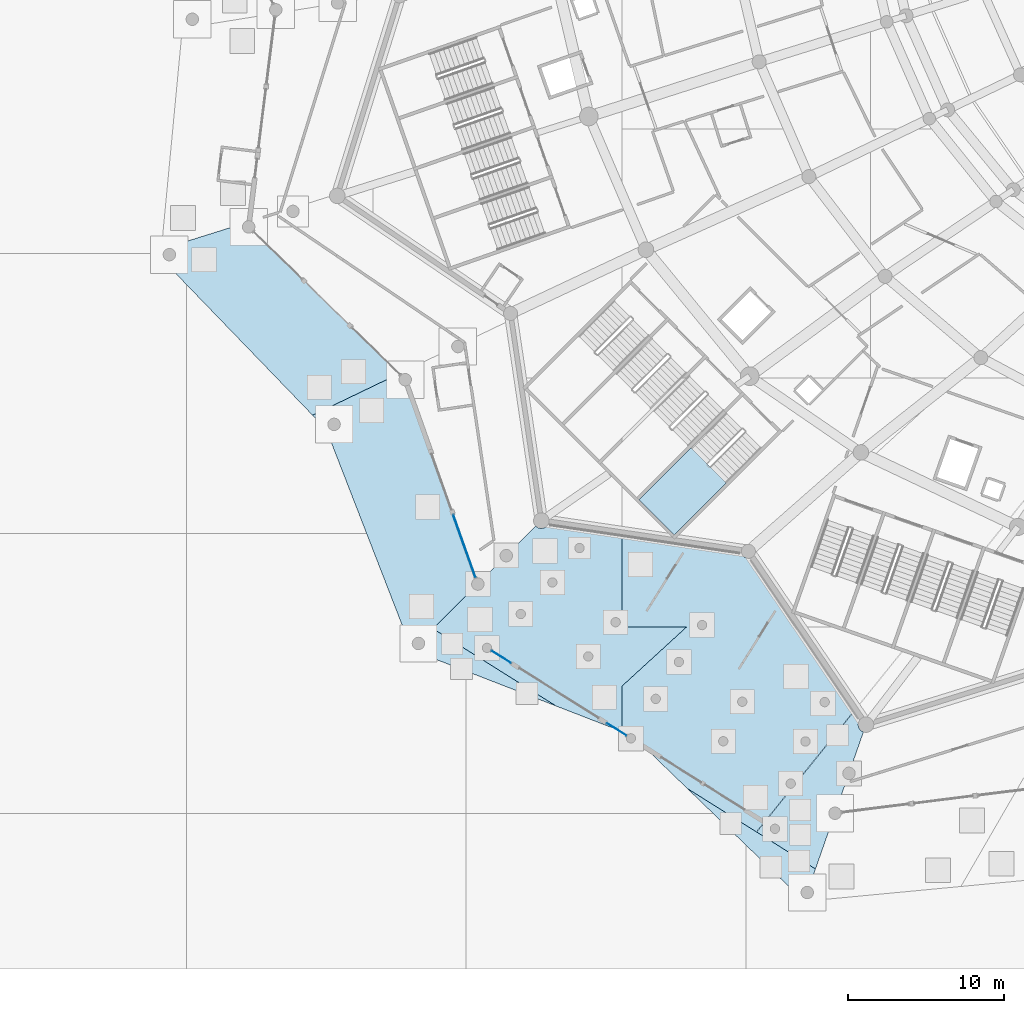
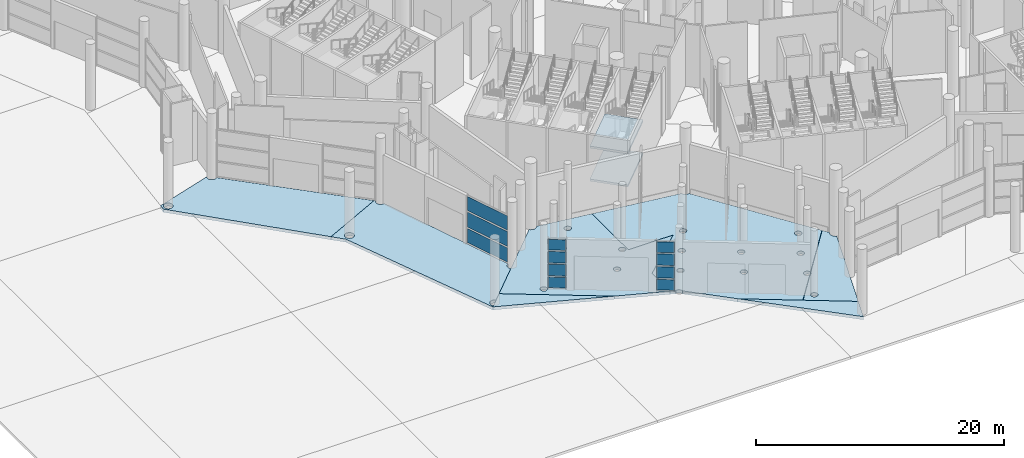
# One storey, part 69 of 255: 11 plates, 9 slabs, 4 elements without a shape of their own.
"""IFC4 building model written with IfcOpenShell, lengths in metres."""

from ifc_helpers import new_model, si_unit, direction, frame, origin, origin_2d, place, context, subcontext, project, spatial, polyline, rectangle, outline, extrude, material, layer, layer_set, type_object, element, aggregate, save


model = new_model("IFC4")

# Units and contexts
model_context = context("Model", 3, precision=1e-05, world=origin(), true_north=direction((0.0, 1.0)))
body_context = subcontext(model_context, "Body", "Model", "MODEL_VIEW")
ifc_project = project(units=[si_unit("LENGTHUNIT", "METRE"), si_unit("AREAUNIT", "SQUARE_METRE"), si_unit("VOLUMEUNIT", "CUBIC_METRE"), si_unit("PLANEANGLEUNIT", "RADIAN"), si_unit("MASSUNIT", "GRAM", prefix="KILO")], contexts=[model_context])

# Site, building, storey
site_placement = place(None, origin())
site = spatial("IfcSite", under=ifc_project, at=site_placement, CompositionType="ELEMENT")
building_placement = place(site_placement, origin())
building = spatial("IfcBuilding", under=site, at=building_placement, Name="Meseta Stadium", CompositionType="ELEMENT")
storey_placement = place(building_placement, origin())
storey = spatial("IfcBuildingStorey", under=building, at=storey_placement, Name="L00", CompositionType="ELEMENT", Elevation=0.0)

# Slabs
ifc_material_1 = material(Name="Concrete C40/50", Category="concrete")
ifc_layer_1 = layer(ifc_material_1, 0.300048828125)
ifc_layer_set_1 = layer_set([ifc_layer_1], Name="Gate court paving 300")
slab_type_1 = type_object("IfcSlabType", Name="Gate court paving 300", PredefinedType="FLOOR", material=ifc_layer_set_1)
slab_1_placement = place(storey_placement, frame((0.0, 0.0, -0.300048828125)))
element("IfcSlab", 1, at=slab_1_placement, inside=storey, type_object=slab_type_1, Name="Gate 6 court paving", PredefinedType="FLOOR", context=body_context, shape_type="SweptSolid", body=[
    extrude(outline(polyline([(-92.12841796875, -96.12841796875), (-93.49755859375, -97.49755859375), (-79.30517578125, -103.0048828125), (-84.220458984375, -101.09765625), (-92.12841796875, -96.12841796875)])), origin(), (0.0, 0.0, 1.0), 0.300048828125),
])
slab_2_placement = place(storey_placement, frame((0.0, 0.0, -0.300048828125)))
element("IfcSlab", 2, at=slab_2_placement, inside=storey, type_object=slab_type_1, Name="Gate 6 court paving", PredefinedType="FLOOR", context=body_context, shape_type="SweptSolid", body=[
    extrude(outline(polyline([(-79.30517578125, -103.0048828125), (-68.273193359375, -113.6533203125), (-65.736328125, -106.403076171875), (-67.5458984375, -111.57470703125), (-75.799560546875, -106.388916015625), (-79.30517578125, -103.0048828125)])), origin(), (0.0, 0.0, 1.0), 0.300048828125),
])
ifc_material_2 = material(Name="Concrete C30/37", Category="concrete")
ifc_layer_2 = layer(ifc_material_2, 0.300048828125)
ifc_layer_set_2 = layer_set([ifc_layer_2], Name="Gate grade slab 300")
slab_type_2 = type_object("IfcSlabType", Name="Gate grade slab 300", PredefinedType="BASESLAB", material=ifc_layer_set_2)
slab_3_placement = place(storey_placement, frame((0.0, 0.0, -0.300048828125)))
element("IfcSlab", 3, at=slab_3_placement, inside=storey, type_object=slab_type_2, Name="Gate ground floor slab 6 part 1 panel 01", PredefinedType="BASESLAB", context=body_context, shape_type="SweptSolid", body=[
    extrude(outline(polyline([(-84.737060546875, -89.42578125), (-84.817138671875, -89.5302734375), (-84.921630859375, -89.610595703125), (-85.043212890625, -89.660888671875), (-85.173583984375, -89.677978515625), (-85.30419921875, -89.660888671875), (-85.42578125, -89.610595703125), (-85.5302734375, -89.5302734375), (-92.12841796875, -96.12841796875), (-84.220458984375, -101.09765625), (-80.0, -102.7353515625), (-80.0, -99.828369140625), (-75.818115234375, -96.0), (-80.0, -96.0), (-80.0, -90.123779296875), (-84.73486328125, -89.4208984375), (-84.737060546875, -89.42578125)]), holes=[polyline([(-80.091796875, -95.706787109375), (-80.10205078125, -95.78515625), (-80.132080078125, -95.858154296875), (-80.180419921875, -95.9208984375), (-80.242919921875, -95.968994140625), (-80.31591796875, -95.999267578125), (-80.394287109375, -96.009521484375), (-80.47265625, -95.999267578125), (-80.545654296875, -95.968994140625), (-80.608154296875, -95.9208984375), (-80.65625, -95.858154296875), (-80.6865234375, -95.78515625), (-80.697021484375, -95.706787109375), (-80.6865234375, -95.628662109375), (-80.65625, -95.5556640625), (-80.608154296875, -95.492919921875), (-80.545654296875, -95.44482421875), (-80.47265625, -95.41455078125), (-80.394287109375, -95.404296875), (-80.31591796875, -95.41455078125), (-80.242919921875, -95.44482421875), (-80.180419921875, -95.492919921875), (-80.132080078125, -95.5556640625), (-80.10205078125, -95.628662109375), (-80.091796875, -95.706787109375)]), polyline([(-86.34228515625, -94.919189453125), (-86.279541015625, -94.96728515625), (-86.2314453125, -95.030029296875), (-86.201416015625, -95.10302734375), (-86.19091796875, -95.181396484375), (-86.201416015625, -95.259521484375), (-86.2314453125, -95.33251953125), (-86.279541015625, -95.395263671875), (-86.34228515625, -95.443359375), (-86.415283203125, -95.4736328125), (-86.49365234375, -95.48388671875), (-86.572021484375, -95.4736328125), (-86.64501953125, -95.443359375), (-86.70751953125, -95.395263671875), (-86.755615234375, -95.33251953125), (-86.785888671875, -95.259521484375), (-86.796142578125, -95.181396484375), (-86.785888671875, -95.10302734375), (-86.755615234375, -95.030029296875), (-86.70751953125, -94.96728515625), (-86.64501953125, -94.919189453125), (-86.572021484375, -94.88916015625), (-86.49365234375, -94.878662109375), (-86.415283203125, -94.88916015625), (-86.34228515625, -94.919189453125)]), polyline([(-84.3115234375, -92.888427734375), (-84.248779296875, -92.9365234375), (-84.20068359375, -92.999267578125), (-84.17041015625, -93.072265625), (-84.16015625, -93.150390625), (-84.17041015625, -93.228759765625), (-84.20068359375, -93.3017578125), (-84.248779296875, -93.364501953125), (-84.3115234375, -93.41259765625), (-84.384521484375, -93.44287109375), (-84.462646484375, -93.453125), (-84.541015625, -93.44287109375), (-84.614013671875, -93.41259765625), (-84.6767578125, -93.364501953125), (-84.724853515625, -93.3017578125), (-84.7548828125, -93.228759765625), (-84.765380859375, -93.150390625), (-84.7548828125, -93.072265625), (-84.724853515625, -92.999267578125), (-84.6767578125, -92.9365234375), (-84.614013671875, -92.888427734375), (-84.541015625, -92.858154296875), (-84.462646484375, -92.847900390625), (-84.384521484375, -92.858154296875), (-84.3115234375, -92.888427734375)]), polyline([(-82.64111328125, -90.646728515625), (-82.568115234375, -90.677001953125), (-82.505615234375, -90.72509765625), (-82.45751953125, -90.78759765625), (-82.42724609375, -90.860595703125), (-82.4169921875, -90.93896484375), (-82.42724609375, -91.017333984375), (-82.45751953125, -91.09033203125), (-82.505615234375, -91.153076171875), (-82.568115234375, -91.201171875), (-82.64111328125, -91.231201171875), (-82.719482421875, -91.24169921875), (-82.7978515625, -91.231201171875), (-82.870849609375, -91.201171875), (-82.933349609375, -91.153076171875), (-82.9814453125, -91.09033203125), (-83.01171875, -91.017333984375), (-83.022216796875, -90.93896484375), (-83.01171875, -90.860595703125), (-82.9814453125, -90.78759765625), (-82.933349609375, -90.72509765625), (-82.870849609375, -90.677001953125), (-82.7978515625, -90.646728515625), (-82.719482421875, -90.636474609375), (-82.64111328125, -90.646728515625)]), polyline([(-82.003173828125, -97.645751953125), (-81.940673828125, -97.69384765625), (-81.892578125, -97.75634765625), (-81.8623046875, -97.829345703125), (-81.85205078125, -97.90771484375), (-81.8623046875, -97.986083984375), (-81.892578125, -98.05908203125), (-81.940673828125, -98.12158203125), (-82.003173828125, -98.169921875), (-82.076171875, -98.199951171875), (-82.154541015625, -98.210205078125), (-82.23291015625, -98.199951171875), (-82.305908203125, -98.169921875), (-82.368408203125, -98.12158203125), (-82.41650390625, -98.05908203125), (-82.44677734375, -97.986083984375), (-82.45703125, -97.90771484375), (-82.44677734375, -97.829345703125), (-82.41650390625, -97.75634765625), (-82.368408203125, -97.69384765625), (-82.305908203125, -97.645751953125), (-82.23291015625, -97.615478515625), (-82.154541015625, -97.60498046875), (-82.076171875, -97.615478515625), (-82.003173828125, -97.645751953125)]), polyline([(-88.51806640625, -97.09521484375), (-88.45556640625, -97.143310546875), (-88.407470703125, -97.205810546875), (-88.377197265625, -97.27880859375), (-88.36669921875, -97.357177734375), (-88.377197265625, -97.435546875), (-88.407470703125, -97.508544921875), (-88.45556640625, -97.5712890625), (-88.51806640625, -97.619384765625), (-88.591064453125, -97.6494140625), (-88.66943359375, -97.659912109375), (-88.747802734375, -97.6494140625), (-88.82080078125, -97.619384765625), (-88.88330078125, -97.5712890625), (-88.931396484375, -97.508544921875), (-88.961669921875, -97.435546875), (-88.971923828125, -97.357177734375), (-88.961669921875, -97.27880859375), (-88.931396484375, -97.205810546875), (-88.88330078125, -97.143310546875), (-88.82080078125, -97.09521484375), (-88.747802734375, -97.06494140625), (-88.66943359375, -97.0546875), (-88.591064453125, -97.06494140625), (-88.51806640625, -97.09521484375)])]), origin(), (0.0, 0.0, 1.0), 0.300048828125),
])
slab_4_placement = place(storey_placement, frame((0.0, 0.0, -0.300048828125)))
element("IfcSlab", 4, at=slab_4_placement, inside=storey, type_object=slab_type_2, Name="Gate ground floor slab 6 part 1 panel 02", PredefinedType="BASESLAB", context=body_context, shape_type="SweptSolid", body=[
    extrude(outline(polyline([(-71.856689453125, -91.604736328125), (-71.97412109375, -91.589111328125), (-72.083740234375, -91.5439453125), (-72.177734375, -91.4716796875), (-72.249755859375, -91.377685546875), (-72.29541015625, -91.267578125), (-80.0, -90.123779296875), (-80.0, -96.0), (-75.818115234375, -96.0), (-80.0, -99.828369140625), (-80.0, -102.7353515625), (-79.5537109375, -102.908447265625), (-79.489990234375, -102.882080078125), (-79.41162109375, -102.87158203125), (-79.333251953125, -102.882080078125), (-79.26025390625, -102.912109375), (-79.19775390625, -102.960205078125), (-79.149658203125, -103.02294921875), (-79.119384765625, -103.095947265625), (-79.10888671875, -103.17431640625), (-79.111328125, -103.19189453125), (-75.799560546875, -106.388916015625), (-71.34375, -109.1884765625), (-69.07861328125, -106.3818359375), (-69.137451171875, -106.389404296875), (-69.2158203125, -106.379150390625), (-69.288818359375, -106.348876953125), (-69.351318359375, -106.30078125), (-69.3994140625, -106.23828125), (-69.4296875, -106.165283203125), (-69.440185546875, -106.0869140625), (-69.4296875, -106.008544921875), (-69.3994140625, -105.935546875), (-69.351318359375, -105.872802734375), (-69.288818359375, -105.82470703125), (-69.2158203125, -105.794677734375), (-69.137451171875, -105.7841796875), (-69.05908203125, -105.794677734375), (-68.986083984375, -105.82470703125), (-68.923583984375, -105.872802734375), (-68.87548828125, -105.935546875), (-68.84521484375, -106.008544921875), (-68.835693359375, -106.080810546875), (-65.091552734375, -101.44140625), (-71.773681640625, -91.59375), (-71.856689453125, -91.604736328125)]), holes=[polyline([(-74.533447265625, -95.892578125), (-74.5439453125, -95.970703125), (-74.57421875, -96.043701171875), (-74.622314453125, -96.1064453125), (-74.684814453125, -96.154541015625), (-74.7578125, -96.184814453125), (-74.836181640625, -96.195068359375), (-74.91455078125, -96.184814453125), (-74.9873046875, -96.154541015625), (-75.050048828125, -96.1064453125), (-75.09814453125, -96.043701171875), (-75.12841796875, -95.970703125), (-75.138671875, -95.892578125), (-75.12841796875, -95.814208984375), (-75.09814453125, -95.7412109375), (-75.050048828125, -95.678466796875), (-74.9873046875, -95.63037109375), (-74.91455078125, -95.60009765625), (-74.836181640625, -95.58984375), (-74.7578125, -95.60009765625), (-74.684814453125, -95.63037109375), (-74.622314453125, -95.678466796875), (-74.57421875, -95.7412109375), (-74.5439453125, -95.814208984375), (-74.533447265625, -95.892578125)]), polyline([(-77.523193359375, -100.555908203125), (-77.512939453125, -100.634033203125), (-77.523193359375, -100.71240234375), (-77.553466796875, -100.785400390625), (-77.6015625, -100.84814453125), (-77.664306640625, -100.896240234375), (-77.7373046875, -100.926513671875), (-77.8154296875, -100.936767578125), (-77.893798828125, -100.926513671875), (-77.966796875, -100.896240234375), (-78.029541015625, -100.84814453125), (-78.07763671875, -100.785400390625), (-78.10791015625, -100.71240234375), (-78.1181640625, -100.634033203125), (-78.10791015625, -100.555908203125), (-78.07763671875, -100.48291015625), (-78.029541015625, -100.420166015625), (-77.966796875, -100.3720703125), (-77.893798828125, -100.341796875), (-77.8154296875, -100.33154296875), (-77.7373046875, -100.341796875), (-77.664306640625, -100.3720703125), (-77.6015625, -100.420166015625), (-77.553466796875, -100.48291015625), (-77.523193359375, -100.555908203125)]), polyline([(-76.03369140625, -98.18505859375), (-76.023193359375, -98.26318359375), (-76.03369140625, -98.341552734375), (-76.063720703125, -98.41455078125), (-76.11181640625, -98.477294921875), (-76.174560546875, -98.525390625), (-76.24755859375, -98.5556640625), (-76.32568359375, -98.56591796875), (-76.404052734375, -98.5556640625), (-76.47705078125, -98.525390625), (-76.539794921875, -98.477294921875), (-76.587890625, -98.41455078125), (-76.6181640625, -98.341552734375), (-76.62841796875, -98.26318359375), (-76.6181640625, -98.18505859375), (-76.587890625, -98.112060546875), (-76.539794921875, -98.04931640625), (-76.47705078125, -98.001220703125), (-76.404052734375, -97.970947265625), (-76.32568359375, -97.960693359375), (-76.24755859375, -97.970947265625), (-76.174560546875, -98.001220703125), (-76.11181640625, -98.04931640625), (-76.063720703125, -98.112060546875), (-76.03369140625, -98.18505859375)]), polyline([(-67.896484375, -103.297607421875), (-67.88623046875, -103.3759765625), (-67.896484375, -103.454345703125), (-67.927001953125, -103.52734375), (-67.974853515625, -103.590087890625), (-68.03759765625, -103.63818359375), (-68.110595703125, -103.668212890625), (-68.18896484375, -103.6787109375), (-68.26708984375, -103.668212890625), (-68.340087890625, -103.63818359375), (-68.40283203125, -103.590087890625), (-68.450927734375, -103.52734375), (-68.481201171875, -103.454345703125), (-68.491455078125, -103.3759765625), (-68.481201171875, -103.297607421875), (-68.450927734375, -103.224609375), (-68.40283203125, -103.162109375), (-68.340087890625, -103.114013671875), (-68.26708984375, -103.083740234375), (-68.18896484375, -103.073486328125), (-68.110595703125, -103.083740234375), (-68.03759765625, -103.114013671875), (-67.974853515625, -103.162109375), (-67.927001953125, -103.224609375), (-67.896484375, -103.297607421875)]), polyline([(-73.173828125, -103.360595703125), (-73.18408203125, -103.438720703125), (-73.21435546875, -103.51171875), (-73.262451171875, -103.574462890625), (-73.3251953125, -103.62255859375), (-73.398193359375, -103.65283203125), (-73.4765625, -103.6630859375), (-73.5546875, -103.65283203125), (-73.627685546875, -103.62255859375), (-73.6904296875, -103.574462890625), (-73.738525390625, -103.51171875), (-73.768798828125, -103.438720703125), (-73.779052734375, -103.360595703125), (-73.768798828125, -103.2822265625), (-73.738525390625, -103.209228515625), (-73.6904296875, -103.146484375), (-73.627685546875, -103.098388671875), (-73.5546875, -103.068115234375), (-73.4765625, -103.057861328125), (-73.398193359375, -103.068115234375), (-73.3251953125, -103.098388671875), (-73.262451171875, -103.146484375), (-73.21435546875, -103.209228515625), (-73.18408203125, -103.2822265625), (-73.173828125, -103.360595703125)]), polyline([(-66.650146484375, -100.845947265625), (-66.660400390625, -100.92431640625), (-66.69091796875, -100.997314453125), (-66.73876953125, -101.059814453125), (-66.801513671875, -101.10791015625), (-66.87451171875, -101.13818359375), (-66.952880859375, -101.1484375), (-67.031005859375, -101.13818359375), (-67.10400390625, -101.10791015625), (-67.166748046875, -101.059814453125), (-67.21484375, -100.997314453125), (-67.2451171875, -100.92431640625), (-67.25537109375, -100.845947265625), (-67.2451171875, -100.767578125), (-67.21484375, -100.694580078125), (-67.166748046875, -100.6318359375), (-67.10400390625, -100.583740234375), (-67.031005859375, -100.5537109375), (-66.952880859375, -100.543212890625), (-66.87451171875, -100.5537109375), (-66.801513671875, -100.583740234375), (-66.73876953125, -100.6318359375), (-66.69091796875, -100.694580078125), (-66.660400390625, -100.767578125), (-66.650146484375, -100.845947265625)]), polyline([(-71.954833984375, -100.819580078125), (-71.965087890625, -100.89794921875), (-71.995361328125, -100.970947265625), (-72.04345703125, -101.03369140625), (-72.106201171875, -101.081787109375), (-72.17919921875, -101.11181640625), (-72.25732421875, -101.122314453125), (-72.335693359375, -101.11181640625), (-72.40869140625, -101.081787109375), (-72.47119140625, -101.03369140625), (-72.519287109375, -100.970947265625), (-72.549560546875, -100.89794921875), (-72.56005859375, -100.819580078125), (-72.549560546875, -100.7412109375), (-72.519287109375, -100.66845703125), (-72.47119140625, -100.605712890625), (-72.40869140625, -100.5576171875), (-72.335693359375, -100.52734375), (-72.25732421875, -100.51708984375), (-72.17919921875, -100.52734375), (-72.106201171875, -100.5576171875), (-72.04345703125, -100.605712890625), (-71.995361328125, -100.66845703125), (-71.965087890625, -100.7412109375), (-71.954833984375, -100.819580078125)])]), origin(), (0.0, 0.0, 1.0), 0.300048828125),
])
slab_5_placement = place(storey_placement, frame((0.0, 0.0, -0.300048828125)))
element("IfcSlab", 5, at=slab_5_placement, inside=storey, type_object=slab_type_2, Name="Gate ground floor slab 6 part 2", PredefinedType="BASESLAB", context=body_context, shape_type="SweptSolid", body=[
    extrude(outline(polyline([(-64.708740234375, -102.005615234375), (-65.079833984375, -101.458740234375), (-68.8388671875, -106.116455078125), (-68.84521484375, -106.165283203125), (-68.87548828125, -106.23828125), (-68.923583984375, -106.30078125), (-68.986083984375, -106.348876953125), (-69.046630859375, -106.3740234375), (-71.326904296875, -109.19921875), (-67.5458984375, -111.57470703125), (-64.462890625, -102.763916015625), (-64.549560546875, -102.727783203125), (-64.654052734375, -102.647705078125), (-64.734130859375, -102.543212890625), (-64.78466796875, -102.421630859375), (-64.8017578125, -102.291015625), (-64.78466796875, -102.16064453125), (-64.734130859375, -102.0390625), (-64.708740234375, -102.005615234375)]), holes=[polyline([(-69.939697265625, -109.205322265625), (-70.00244140625, -109.25341796875), (-70.075439453125, -109.28369140625), (-70.15380859375, -109.2939453125), (-70.232177734375, -109.28369140625), (-70.30517578125, -109.25341796875), (-70.367919921875, -109.205322265625), (-70.415771484375, -109.142578125), (-70.446044921875, -109.069580078125), (-70.456298828125, -108.991455078125), (-70.446044921875, -108.9130859375), (-70.415771484375, -108.840087890625), (-70.367919921875, -108.77734375), (-70.30517578125, -108.729248046875), (-70.232177734375, -108.69921875), (-70.15380859375, -108.688720703125), (-70.075439453125, -108.69921875), (-70.00244140625, -108.729248046875), (-69.939697265625, -108.77734375), (-69.8916015625, -108.840087890625), (-69.861572265625, -108.9130859375), (-69.851318359375, -108.991455078125), (-69.861572265625, -109.069580078125), (-69.8916015625, -109.142578125), (-69.939697265625, -109.205322265625)])]), origin(), (0.0, 0.0, 1.0), 0.300048828125),
])
ifc_material_3 = material(Name="Concrete C40/50", Category="concrete")
ifc_layer_3 = layer(ifc_material_3, 0.300048828125)
ifc_layer_set_3 = layer_set([ifc_layer_3], Name="Passage paving slab 300")
slab_type_3 = type_object("IfcSlabType", Name="Passage paving slab 300", PredefinedType="FLOOR", material=ifc_layer_set_3)
slab_6_placement = place(storey_placement, frame((0.0, 0.0, -0.300048828125)))
element("IfcSlab", 6, at=slab_6_placement, inside=storey, type_object=slab_type_3, Name="Covered passage paving 5 part 2 panel 04", PredefinedType="FLOOR", context=body_context, shape_type="SweptSolid", body=[
    extrude(outline(polyline([(-109.601318359375, -71.726806640625), (-109.6533203125, -72.273193359375), (-99.877197265625, -82.401611328125), (-94.31884765625, -79.728515625), (-103.70166015625, -70.572998046875), (-103.70458984375, -70.576904296875), (-103.7880859375, -70.64111328125), (-103.885498046875, -70.681396484375), (-103.989990234375, -70.695068359375), (-104.094482421875, -70.681396484375), (-104.191650390625, -70.64111328125), (-104.275146484375, -70.576904296875), (-104.33935546875, -70.493408203125), (-104.379638671875, -70.39599609375), (-104.393310546875, -70.29150390625), (-104.379638671875, -70.18701171875), (-104.33935546875, -70.08984375), (-104.326416015625, -70.072998046875), (-109.601318359375, -71.726806640625)]), holes=[polyline([(-108.88525390625, -72.424560546875), (-108.982421875, -72.46484375), (-109.0869140625, -72.478515625), (-109.19140625, -72.46484375), (-109.28857421875, -72.424560546875), (-109.372314453125, -72.3603515625), (-109.436279296875, -72.27685546875), (-109.4765625, -72.179443359375), (-109.490478515625, -72.0751953125), (-109.4765625, -71.970703125), (-109.436279296875, -71.873291015625), (-109.372314453125, -71.789794921875), (-109.28857421875, -71.7255859375), (-109.19140625, -71.685302734375), (-109.0869140625, -71.671630859375), (-108.982421875, -71.685302734375), (-108.88525390625, -71.7255859375), (-108.801513671875, -71.789794921875), (-108.737548828125, -71.873291015625), (-108.697265625, -71.970703125), (-108.68359375, -72.0751953125), (-108.697265625, -72.179443359375), (-108.737548828125, -72.27685546875), (-108.801513671875, -72.3603515625), (-108.88525390625, -72.424560546875)])]), origin(), (0.0, 0.0, 1.0), 0.300048828125),
])
slab_7_placement = place(storey_placement, frame((0.0, 0.0, -0.300048828125)))
element("IfcSlab", 7, at=slab_7_placement, inside=storey, type_object=slab_type_3, Name="Covered passage paving 5 part 2 panel 05", PredefinedType="FLOOR", context=body_context, shape_type="SweptSolid", body=[
    extrude(outline(polyline([(-94.212890625, -79.831787109375), (-94.31884765625, -79.728515625), (-99.877197265625, -82.401611328125), (-99.0048828125, -83.30517578125), (-93.49755859375, -97.49755859375), (-93.3583984375, -97.3583984375), (-93.422607421875, -97.27490234375), (-93.462890625, -97.177490234375), (-93.476806640625, -97.0732421875), (-93.462890625, -96.96875), (-93.422607421875, -96.87158203125), (-93.3583984375, -96.787841796875), (-93.27490234375, -96.723876953125), (-93.177490234375, -96.68359375), (-93.0732421875, -96.669921875), (-92.96875, -96.68359375), (-92.87158203125, -96.723876953125), (-92.787841796875, -96.787841796875), (-89.5400390625, -93.5400390625), (-89.604248046875, -93.45654296875), (-89.64453125, -93.359375), (-89.658203125, -93.2548828125), (-89.64453125, -93.150390625), (-89.604248046875, -93.052978515625), (-89.5400390625, -92.969482421875), (-89.45654296875, -92.905517578125), (-89.388916015625, -92.87744140625), (-93.79052734375, -80.490478515625), (-93.8203125, -80.502685546875), (-93.924560546875, -80.5166015625), (-94.029052734375, -80.502685546875), (-94.126220703125, -80.46240234375), (-94.2099609375, -80.398193359375), (-94.27392578125, -80.314697265625), (-94.314208984375, -80.21728515625), (-94.327880859375, -80.113037109375), (-94.314208984375, -80.008544921875), (-94.27392578125, -79.911376953125), (-94.212890625, -79.831787109375)]), holes=[polyline([(-98.211669921875, -83.271240234375), (-98.295166015625, -83.33544921875), (-98.392578125, -83.375732421875), (-98.496826171875, -83.389404296875), (-98.601318359375, -83.375732421875), (-98.698486328125, -83.33544921875), (-98.7822265625, -83.271240234375), (-98.84619140625, -83.187744140625), (-98.88671875, -83.09033203125), (-98.900390625, -82.986083984375), (-98.88671875, -82.881591796875), (-98.84619140625, -82.7841796875), (-98.7822265625, -82.70068359375), (-98.698486328125, -82.63671875), (-98.601318359375, -82.59619140625), (-98.496826171875, -82.58251953125), (-98.392578125, -82.59619140625), (-98.295166015625, -82.63671875), (-98.211669921875, -82.70068359375), (-98.1474609375, -82.7841796875), (-98.107177734375, -82.881591796875), (-98.093505859375, -82.986083984375), (-98.107177734375, -83.09033203125), (-98.1474609375, -83.187744140625), (-98.211669921875, -83.271240234375)])]), origin(), (0.0, 0.0, 1.0), 0.300048828125),
])

# Curtain wall, plates
ifc_material_4 = material(Name="Aluminium", Category="aluminium")
ifc_layer_4 = layer(ifc_material_4, 0.199951171875)
ifc_layer_set_4 = layer_set([ifc_layer_4], Name="Ring shopfront curtain wall")
curtain_wall_type_1 = type_object("IfcCurtainWallType", Name="Ring shopfront curtain wall", PredefinedType="NOTDEFINED", material=ifc_layer_set_4)
curtain_wall_1_placement = place(storey_placement, origin())
curtain_wall_1 = element("IfcCurtainWall", 8, at=curtain_wall_1_placement, inside=storey, type_object=curtain_wall_type_1, Name="Shopfront glazing F39b", PredefinedType="NOTDEFINED")
ifc_material_5 = material(Name="Glass", Category="glass")
ifc_layer_5 = layer(ifc_material_5, 0.035888671875)
ifc_layer_set_5 = layer_set([ifc_layer_5], Name="Ring CW glass panel 36")
plate_type = type_object("IfcPlateType", Name="Ring CW glass panel 36", PredefinedType="CURTAIN_PANEL", material=ifc_layer_set_5)
plate_1_placement = place(storey_placement, frame((-90.120849609375, -90.8173828125, 0.150146484375), z_axis=(0.0, 0.0, 1.0), x_axis=(0.334817946273, -0.942282835912, 0.0)))
plate_1 = element("IfcPlate", 9, at=plate_1_placement, type_object=plate_type, Name="CWR1 panel 1.1", PredefinedType="CURTAIN_PANEL", context=body_context, shape_type="SweptSolid", body=[
    extrude(rectangle(XDim=4.25341796875, YDim=0.035888671875, at=origin_2d()), origin(), (0.0, 0.0, 1.0), 1.3916015625),
])
plate_2_placement = place(storey_placement, frame((-90.120849609375, -90.8173828125, 1.69189453125), z_axis=(0.0, 0.0, 1.0), x_axis=(0.334817946273, -0.942282835912, 0.0)))
plate_2 = element("IfcPlate", 10, at=plate_2_placement, type_object=plate_type, Name="CWR1 panel 1.2", PredefinedType="CURTAIN_PANEL", context=body_context, shape_type="SweptSolid", body=[
    extrude(rectangle(XDim=4.25341796875, YDim=0.035888671875, at=origin_2d()), origin(), (0.0, 0.0, 1.0), 1.466552734375),
])
plate_3_placement = place(storey_placement, frame((-90.120849609375, -90.8173828125, 3.308349609375), z_axis=(0.0, 0.0, 1.0), x_axis=(0.334817946273, -0.942282835912, 0.0)))
plate_3 = element("IfcPlate", 11, at=plate_3_placement, type_object=plate_type, Name="CWR1 panel 1.3", PredefinedType="CURTAIN_PANEL", context=body_context, shape_type="SweptSolid", body=[
    extrude(rectangle(XDim=4.25341796875, YDim=0.035888671875, at=origin_2d()), origin(), (0.0, 0.0, 1.0), 1.3916015625),
])
aggregate(curtain_wall_1, [plate_1, plate_2, plate_3])

ifc_material_6 = material(Name="Aluminium", Category="aluminium")
ifc_layer_6 = layer(ifc_material_6, 0.199951171875)
ifc_layer_set_6 = layer_set([ifc_layer_6], Name="Gate hall curtain wall")
curtain_wall_type_2 = type_object("IfcCurtainWallType", Name="Gate hall curtain wall", PredefinedType="NOTDEFINED", material=ifc_layer_set_6)
curtain_wall_2_placement = place(storey_placement, origin())
curtain_wall_2 = element("IfcCurtainWall", 12, at=curtain_wall_2_placement, inside=storey, type_object=curtain_wall_type_2, Name="Gate 6 glazing", PredefinedType="NOTDEFINED")
plate_4_placement = place(storey_placement, frame((-87.751953125, -97.93359375, 0.14990234375), z_axis=(0.0, 0.0, 1.0), x_axis=(0.846730196879, -0.532022531189, 0.0)))
plate_4 = element("IfcPlate", 13, at=plate_4_placement, type_object=plate_type, Name="CWG1 panel 1.1", PredefinedType="CURTAIN_PANEL", context=body_context, shape_type="SweptSolid", body=[
    extrude(rectangle(XDim=1.44677734375, YDim=0.035888671875, at=origin_2d()), origin(), (0.0, 0.0, 1.0), 1.03759765625),
])
plate_5_placement = place(storey_placement, frame((-87.751953125, -97.93359375, 1.33740234375), z_axis=(0.0, 0.0, 1.0), x_axis=(0.846730196879, -0.532022531189, 0.0)))
plate_5 = element("IfcPlate", 14, at=plate_5_placement, type_object=plate_type, Name="CWG1 panel 1.2", PredefinedType="CURTAIN_PANEL", context=body_context, shape_type="SweptSolid", body=[
    extrude(rectangle(XDim=1.44677734375, YDim=0.035888671875, at=origin_2d()), origin(), (0.0, 0.0, 1.0), 1.112548828125),
])
plate_6_placement = place(storey_placement, frame((-87.751953125, -97.93359375, 2.60009765625), z_axis=(0.0, 0.0, 1.0), x_axis=(0.846730196879, -0.532022531189, 0.0)))
plate_6 = element("IfcPlate", 15, at=plate_6_placement, type_object=plate_type, Name="CWG1 panel 1.3", PredefinedType="CURTAIN_PANEL", context=body_context, shape_type="SweptSolid", body=[
    extrude(rectangle(XDim=1.44677734375, YDim=0.035888671875, at=origin_2d()), origin(), (0.0, 0.0, 1.0), 1.112548828125),
])
plate_7_placement = place(storey_placement, frame((-87.751953125, -97.93359375, 3.862548828125), z_axis=(0.0, 0.0, 1.0), x_axis=(0.846730196879, -0.532022531189, 0.0)))
plate_7 = element("IfcPlate", 16, at=plate_7_placement, type_object=plate_type, Name="CWG1 panel 1.4", PredefinedType="CURTAIN_PANEL", context=body_context, shape_type="SweptSolid", body=[
    extrude(rectangle(XDim=1.44677734375, YDim=0.035888671875, at=origin_2d()), origin(), (0.0, 0.0, 1.0), 1.03759765625),
])
aggregate(curtain_wall_2, [plate_4, plate_5, plate_6, plate_7])

curtain_wall_3_placement = place(storey_placement, origin())
curtain_wall_3 = element("IfcCurtainWall", 17, at=curtain_wall_3_placement, inside=storey, type_object=curtain_wall_type_2, Name="Gate 6 glazing", PredefinedType="NOTDEFINED")
plate_8_placement = place(storey_placement, frame((-80.328857421875, -102.597900390625, 0.14990234375), z_axis=(0.0, 0.0, 1.0), x_axis=(0.846730196879, -0.532022531189, 0.0)))
plate_8 = element("IfcPlate", 18, at=plate_8_placement, type_object=plate_type, Name="CWG1 panel 1.1", PredefinedType="CURTAIN_PANEL", context=body_context, shape_type="SweptSolid", body=[
    extrude(rectangle(XDim=1.44677734375, YDim=0.035888671875, at=origin_2d()), origin(), (0.0, 0.0, 1.0), 1.03759765625),
])
plate_9_placement = place(storey_placement, frame((-80.328857421875, -102.597900390625, 1.33740234375), z_axis=(0.0, 0.0, 1.0), x_axis=(0.846730196879, -0.532022531189, 0.0)))
plate_9 = element("IfcPlate", 19, at=plate_9_placement, type_object=plate_type, Name="CWG1 panel 1.2", PredefinedType="CURTAIN_PANEL", context=body_context, shape_type="SweptSolid", body=[
    extrude(rectangle(XDim=1.44677734375, YDim=0.035888671875, at=origin_2d()), origin(), (0.0, 0.0, 1.0), 1.112548828125),
])
plate_10_placement = place(storey_placement, frame((-80.328857421875, -102.597900390625, 2.60009765625), z_axis=(0.0, 0.0, 1.0), x_axis=(0.846730196879, -0.532022531189, 0.0)))
plate_10 = element("IfcPlate", 20, at=plate_10_placement, type_object=plate_type, Name="CWG1 panel 1.3", PredefinedType="CURTAIN_PANEL", context=body_context, shape_type="SweptSolid", body=[
    extrude(rectangle(XDim=1.44677734375, YDim=0.035888671875, at=origin_2d()), origin(), (0.0, 0.0, 1.0), 1.112548828125),
])
plate_11_placement = place(storey_placement, frame((-80.328857421875, -102.597900390625, 3.862548828125), z_axis=(0.0, 0.0, 1.0), x_axis=(0.846730196879, -0.532022531189, 0.0)))
plate_11 = element("IfcPlate", 21, at=plate_11_placement, type_object=plate_type, Name="CWG1 panel 1.4", PredefinedType="CURTAIN_PANEL", context=body_context, shape_type="SweptSolid", body=[
    extrude(rectangle(XDim=1.44677734375, YDim=0.035888671875, at=origin_2d()), origin(), (0.0, 0.0, 1.0), 1.03759765625),
])
aggregate(curtain_wall_3, [plate_8, plate_9, plate_10, plate_11])

# Stair, slabs
ifc_material_7 = material(Name="Concrete C40/50", Category="concrete")
stair_type = type_object("IfcStairType", Name="Exit stair 4 flights 148 mm risers", PredefinedType="HALF_TURN_STAIR", material=ifc_material_7)
stair_placement = place(storey_placement, origin())
stair = element("IfcStair", 22, at=stair_placement, inside=storey, type_object=stair_type, Name="ST84 L00", PredefinedType="HALF_TURN_STAIR")
ifc_material_8 = material(Name="Concrete C40/50", Category="concrete")
ifc_layer_7 = layer(ifc_material_8, 0.199951171875)
ifc_layer_set_7 = layer_set([ifc_layer_7], Name="Stair landing 200")
slab_type_4 = type_object("IfcSlabType", Name="Stair landing 200", PredefinedType="LANDING", material=ifc_layer_set_7)
slab_8_placement = place(storey_placement, frame((0.0, 0.0, 1.425048828125)))
slab_8 = element("IfcSlab", 23, at=slab_8_placement, type_object=slab_type_4, Name="ST84 L00 landing 1", PredefinedType="LANDING", context=body_context, shape_type="SweptSolid", body=[
    extrude(outline(polyline([(-75.550048828125, -84.499755859375), (-78.88037109375, -87.830322265625), (-76.61767578125, -90.093017578125), (-73.287353515625, -86.762451171875), (-75.550048828125, -84.499755859375)])), origin(), (0.0, 0.0, 1.0), 0.199951171875),
])
slab_9_placement = place(storey_placement, frame((0.0, 0.0, 4.675048828125)))
slab_9 = element("IfcSlab", 24, at=slab_9_placement, type_object=slab_type_4, Name="ST84 L00 landing 3", PredefinedType="LANDING", context=body_context, shape_type="SweptSolid", body=[
    extrude(outline(polyline([(-75.550048828125, -84.499755859375), (-78.88037109375, -87.830322265625), (-76.61767578125, -90.093017578125), (-73.287353515625, -86.762451171875), (-75.550048828125, -84.499755859375)])), origin(), (0.0, 0.0, 1.0), 0.199951171875),
])
aggregate(stair, [slab_8, slab_9])

save(model, "model.ifc")
